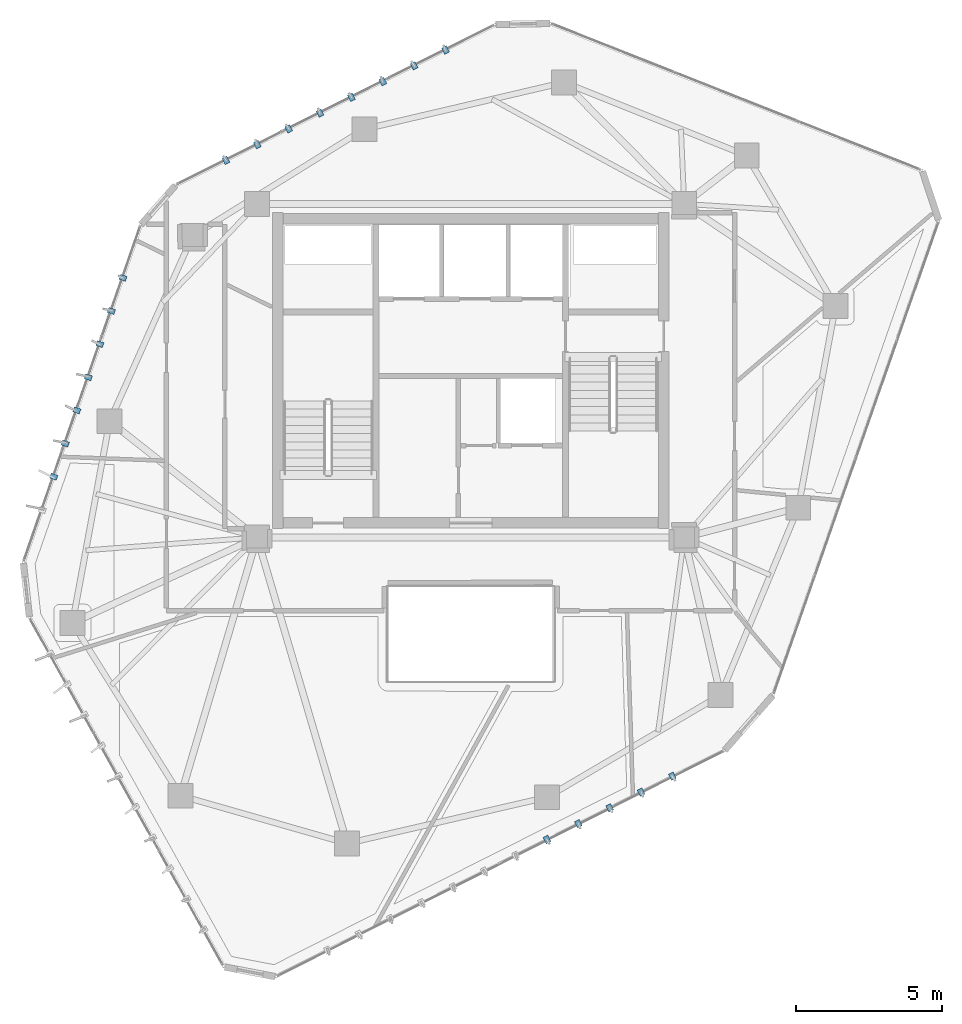
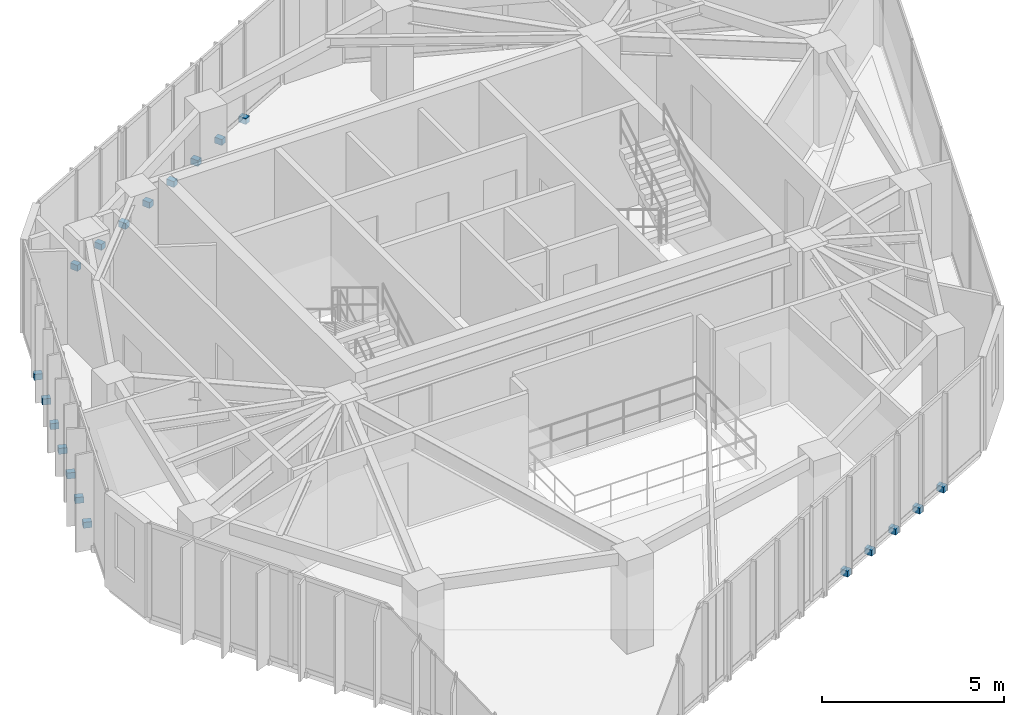
# One storey, part 19 of 21: 20 discrete accessories.
"""IFC4 building model written with IfcOpenShell, lengths in metres."""

import ifcopenshell
import ifcopenshell.guid

model = None  # the IFC model being written
_history = None  # IfcOwnerHistory: only IFC2X3 demands one
_inside = {}  # id of a spatial element -> (the spatial element, [elements in it])
_under = {}  # id of a project, library or spatial element -> (it, [spatial elements below it])
_declared = {}  # id of a project -> (the project, [libraries it declares])
_typed = {}  # id of a type object -> (the type object, [elements of that type])
_made_of = {}  # id of a material, layer set ... -> (it, [elements and type objects made of it])


def new_model(schema):
    """Start an empty IFC model of exactly this schema.

    Asked for "IFC4X3", IfcOpenShell would pick the latest addendum, in which some entities
    have other attributes; the version numbers below select the first issue.
    IFC2X3 requires an IfcOwnerHistory on every rooted entity: one is made here for all.
    """
    global model, _history
    if schema == "IFC4X3":
        model = ifcopenshell.file(schema_version=(4, 3, 0, 0))
    else:
        model = ifcopenshell.file(schema=schema)
    _inside.clear()
    _under.clear()
    _declared.clear()
    _typed.clear()
    _made_of.clear()
    _history = None
    if model.schema == "IFC2X3":
        org = make("IfcOrganization", Name="unknown")
        user = make(
            "IfcPersonAndOrganization",
            ThePerson=make("IfcPerson", FamilyName="unknown"),
            TheOrganization=org,
        )
        app = make(
            "IfcApplication",
            ApplicationDeveloper=org,
            Version="unknown",
            ApplicationFullName="unknown",
            ApplicationIdentifier="unknown",
        )
        _history = make(
            "IfcOwnerHistory",
            OwningUser=user,
            OwningApplication=app,
            ChangeAction="ADDED",
            CreationDate=0,
        )
    return model


def make(cls, **values):
    """One entity of the class cls with the attributes given. An attribute that is None is left unset."""
    return model.create_entity(
        cls, **{name: value for name, value in values.items() if value is not None}
    )


def rooted(cls, **values):
    """An entity with a GlobalId (a new one), such as an element, a storey or a relation."""
    return make(cls, GlobalId=ifcopenshell.guid.new(), OwnerHistory=_history, **values)


def si_unit(unit_type, name, prefix=None):
    """IfcSIUnit, for example si_unit("LENGTHUNIT", "METRE", prefix="MILLI")."""
    return make("IfcSIUnit", UnitType=unit_type, Prefix=prefix, Name=name)


def assignment(units):
    """IfcUnitAssignment: the units of a project."""
    return None if units is None else make("IfcUnitAssignment", Units=units)


def point(xyz):
    """IfcCartesianPoint."""
    return None if xyz is None else make("IfcCartesianPoint", Coordinates=xyz)


def direction(xyz):
    """IfcDirection."""
    return None if xyz is None else make("IfcDirection", DirectionRatios=xyz)


def frame(location, z_axis=None, x_axis=None):
    """IfcAxis2Placement3D, a coordinate frame: its origin and axes. An axis left out is left unset."""
    return make(
        "IfcAxis2Placement3D",
        Location=point(location),
        Axis=direction(z_axis),
        RefDirection=direction(x_axis),
    )


def frame_2d(location, x_axis=None):
    """IfcAxis2Placement2D, a coordinate frame in the plane: its origin and x axis."""
    return make(
        "IfcAxis2Placement2D", Location=point(location), RefDirection=direction(x_axis)
    )


def origin():
    """The frame at (0, 0, 0) with its axes left unset."""
    return frame((0.0, 0.0, 0.0))


def origin_2d():
    """The frame at (0, 0) in the plane with its x axis left unset."""
    return frame_2d((0.0, 0.0))


def place(relative_to, where):
    """IfcLocalPlacement: puts the frame where relative to a parent placement (None: the world)."""
    return make(
        "IfcLocalPlacement", PlacementRelTo=relative_to, RelativePlacement=where
    )


def context(
    kind, dimensions, precision=None, world=None, true_north=None, identifier=None
):
    """IfcGeometricRepresentationContext, for example the 3D "Model" context."""
    return make(
        "IfcGeometricRepresentationContext",
        ContextIdentifier=identifier,
        ContextType=kind,
        CoordinateSpaceDimension=dimensions,
        Precision=precision,
        WorldCoordinateSystem=world,
        TrueNorth=true_north,
    )


def subcontext(parent, identifier, kind, view, scale=None):
    """IfcGeometricRepresentationSubContext, for example "Body" below "Model"."""
    return make(
        "IfcGeometricRepresentationSubContext",
        ContextIdentifier=identifier,
        ContextType=kind,
        ParentContext=parent,
        TargetScale=scale,
        TargetView=view,
    )


def project(units=None, contexts=None):
    """IfcProject with its units and contexts."""
    return rooted(
        "IfcProject",
        Name="project",
        RepresentationContexts=contexts,
        UnitsInContext=assignment(units),
    )


def spatial(cls, under=None, at=None, **own):
    """A site, building, storey or space (cls), placed at a placement, below another one or the project."""
    s = rooted(cls, ObjectPlacement=at, **own)
    if under is not None:
        _under.setdefault(under.id(), (under, []))[1].append(s)
    return s


def profile(cls, at=None, kind="AREA", **sizes):
    """A parametric profile (cls). Its sizes go by their IFC names, for example OverallWidth=200.0."""
    return make(cls, ProfileType=kind, Position=at, **sizes)


def rectangle(**sizes):
    """IfcRectangleProfileDef."""
    return profile("IfcRectangleProfileDef", **sizes)


def extrude(swept, where, along, depth):
    """IfcExtrudedAreaSolid: the profile swept, set in the frame where, extruded along a direction by depth."""
    return make(
        "IfcExtrudedAreaSolid",
        SweptArea=swept,
        Position=where,
        ExtrudedDirection=direction(along),
        Depth=depth,
    )


def shape(context_of_items, identifier, shape_type, items):
    """IfcShapeRepresentation: the items that make up one representation, for example the "Body"."""
    return make(
        "IfcShapeRepresentation",
        ContextOfItems=context_of_items,
        RepresentationIdentifier=identifier,
        RepresentationType=shape_type,
        Items=items,
    )


def source(mapping_origin, context_of_items, identifier, shape_type, items):
    """IfcRepresentationMap: a shape defined once, which mapped items show again and again."""
    return make(
        "IfcRepresentationMap",
        MappingOrigin=mapping_origin,
        MappedRepresentation=shape(context_of_items, identifier, shape_type, items),
    )


def transform(
    local_origin,
    x_axis=None,
    y_axis=None,
    z_axis=None,
    scale=None,
    scale2=None,
    scale3=None,
    uniform=True,
):
    """IfcCartesianTransformationOperator3D, or its non-uniform kind. x_axis, y_axis, z_axis: its Axis1, 2, 3."""
    if uniform:
        return make(
            "IfcCartesianTransformationOperator3D",
            Axis1=direction(x_axis),
            Axis2=direction(y_axis),
            LocalOrigin=point(local_origin),
            Scale=scale,
            Axis3=direction(z_axis),
        )
    return make(
        "IfcCartesianTransformationOperator3DnonUniform",
        Axis1=direction(x_axis),
        Axis2=direction(y_axis),
        LocalOrigin=point(local_origin),
        Scale=scale,
        Axis3=direction(z_axis),
        Scale2=scale2,
        Scale3=scale3,
    )


def mapped(mapping_source, mapping_target):
    """IfcMappedItem: shows the shape of a source again, moved by a transform."""
    return make(
        "IfcMappedItem", MappingSource=mapping_source, MappingTarget=mapping_target
    )


def material(Name=None, Category=None):
    """IfcMaterial."""
    return make("IfcMaterial", Name=Name, Category=Category)


def made_of(thing, what):
    """Note that an element or type object is made of a material, layer set ...; save() writes the relation."""
    if what is not None:
        _made_of.setdefault(what.id(), (what, []))[1].append(thing)
    return thing


def type_object(cls, material=None, **own):
    """A type object (cls), such as IfcWallType, which elements share."""
    return made_of(rooted(cls, **own), material)


def type_shapes(of_type, sources):
    """Give a type object the sources (RepresentationMaps) that its elements show as mapped items."""
    of_type.RepresentationMaps = sources


def element(
    cls,
    number,
    at=None,
    inside=None,
    cuts=None,
    type_object=None,
    material=None,
    context=None,
    identifier="Body",
    shape_type=None,
    held_by="IfcProductDefinitionShape",
    body=None,
    shapes=None,
    **own,
):
    """One element of the class cls, such as IfcWall. Its Tag is "e" and its number.

    at: its placement. inside: the storey or other place that contains it. cuts: it is an
    opening in that element (IfcRelVoidsElement). A single representation is given by context,
    identifier, shape_type and body (its items); several are given by shapes. held_by: the class
    of the entity that holds the representations. save() writes the other relations.
    """
    e = rooted(cls, Tag="e%d" % number, ObjectPlacement=at, **own)
    if body is not None:
        shapes = [shape(context, identifier, shape_type, body)]
    if shapes is not None:
        e.Representation = make(held_by, Representations=shapes)
    if inside is not None:
        _inside.setdefault(inside.id(), (inside, []))[1].append(e)
    if cuts is not None:
        rooted(
            "IfcRelVoidsElement", RelatingBuildingElement=cuts, RelatedOpeningElement=e
        )
    if type_object is not None:
        _typed.setdefault(type_object.id(), (type_object, []))[1].append(e)
    return made_of(e, material)


def aggregate(whole, parts):
    """IfcRelAggregates: a whole, such as a stair, and the parts it consists of."""
    return rooted("IfcRelAggregates", RelatingObject=whole, RelatedObjects=parts)


def save(model, path):
    """Write the relations noted so far, then the file.

    IfcRelAggregates (storeys below a building ...), IfcRelContainedInSpatialStructure (elements
    in a storey), IfcRelDefinesByType, IfcRelAssociatesMaterial and IfcRelDeclares: one each for
    every whole, place, type object, material and project.
    """
    for whole, parts in _under.values():
        aggregate(whole, parts)
    for where, things in _inside.values():
        rooted(
            "IfcRelContainedInSpatialStructure",
            RelatedElements=things,
            RelatingStructure=where,
        )
    for kind, things in _typed.values():
        rooted("IfcRelDefinesByType", RelatedObjects=things, RelatingType=kind)
    for what, things in _made_of.values():
        rooted("IfcRelAssociatesMaterial", RelatedObjects=things, RelatingMaterial=what)
    for by, libraries in _declared.values():
        rooted("IfcRelDeclares", RelatingContext=by, RelatedDefinitions=libraries)
    model.write(path)


model = new_model("IFC4")

# Units and contexts
model_context = context("Model", 3, precision=1e-05, world=origin(), true_north=direction((0.0, 1.0)))
body_context = subcontext(model_context, "Body", "Model", "MODEL_VIEW")
ifc_project = project(units=[si_unit("LENGTHUNIT", "METRE"), si_unit("AREAUNIT", "SQUARE_METRE"), si_unit("VOLUMEUNIT", "CUBIC_METRE"), si_unit("PLANEANGLEUNIT", "RADIAN"), si_unit("MASSUNIT", "GRAM", prefix="KILO")], contexts=[model_context])

# Site, building, storey
site_placement = place(None, origin())
site = spatial("IfcSite", under=ifc_project, at=site_placement, CompositionType="ELEMENT")
building_placement = place(site_placement, origin())
building = spatial("IfcBuilding", under=site, at=building_placement, Name="Talar Marvaseh", CompositionType="ELEMENT")
storey_placement = place(building_placement, frame((0.0, 0.0, 264.60009765625)))
storey = spatial("IfcBuildingStorey", under=building, at=storey_placement, Name="L70", CompositionType="ELEMENT", Elevation=264.60009765625)

# Discrete accessories
ifc_material = material(Name="Stainless Steel Grade 316", Category="steel")
discrete_accessory_type = type_object("IfcDiscreteAccessoryType", Name="Stainless Slab-Edge Fin Mounting Bracket", PredefinedType="BRACKET", material=ifc_material)
shared_shape = source(origin(), body_context, "Body", "SweptSolid", [
    extrude(rectangle(XDim=0.239990234375, YDim=0.179931640625, at=origin_2d()), origin(), (0.0, 0.0, 1.0), 0.199951171875),
])
type_shapes(discrete_accessory_type, [shared_shape])
for number, where, z_axis, x_axis, name in (
    (1, (11.748291015625, 27.573974609375, -0.18017578125), (0.0, 0.0, 1.0), (-0.944491108816, 0.328536977169, 0.0), "L70 Vertical Fin Slab-Edge Bracket"),
    (2, (12.142333984375, 28.707275390625, -0.18017578125), (0.0, 0.0, 1.0), (-0.944491108816, 0.328536977169, 0.0), "L70 Vertical Fin Slab-Edge Bracket"),
    (3, (12.53662109375, 29.840576171875, -0.18017578125), (0.0, 0.0, 1.0), (-0.944491108816, 0.328536977169, 0.0), "L70 Vertical Fin Slab-Edge Bracket"),
    (4, (12.930908203125, 30.97412109375, -0.18017578125), (0.0, 0.0, 1.0), (-0.944491108816, 0.328536977169, 0.0), "L70 Vertical Fin Slab-Edge Bracket"),
    (5, (13.3251953125, 32.107421875, -0.18017578125), (0.0, 0.0, 1.0), (-0.944491108816, 0.328536977169, 0.0), "L70 Vertical Fin Slab-Edge Bracket"),
    (6, (13.719482421875, 33.24072265625, -0.18017578125), (0.0, 0.0, 1.0), (-0.944491108816, 0.328536977169, 0.0), "L70 Vertical Fin Slab-Edge Bracket"),
    (7, (14.114013671875, 34.3740234375, -0.18017578125), (0.0, 0.0, 1.0), (-0.944491108816, 0.328536977169, 0.0), "L70 Vertical Fin Slab-Edge Bracket"),
    (8, (17.63330078125, 38.38720703125, -0.18017578125), (0.0, 0.0, 1.0), (-0.449007125805, 0.893528175816, 0.0), "L70 Vertical Fin Slab-Edge Bracket"),
    (9, (18.70556640625, 38.926025390625, -0.18017578125), (0.0, 0.0, 1.0), (-0.449007125805, 0.893528175816, 0.0), "L70 Vertical Fin Slab-Edge Bracket"),
    (10, (19.777587890625, 39.46484375, -0.18017578125), (0.0, 0.0, 1.0), (-0.449007125805, 0.893528175816, 0.0), "L70 Vertical Fin Slab-Edge Bracket"),
    (11, (20.849853515625, 40.00390625, -0.18017578125), (0.0, 0.0, 1.0), (-0.449007125805, 0.893528175816, 0.0), "L70 Vertical Fin Slab-Edge Bracket"),
    (12, (21.922119140625, 40.54248046875, -0.18017578125), (0.0, 0.0, 1.0), (-0.449007125805, 0.893528175816, 0.0), "L70 Vertical Fin Slab-Edge Bracket"),
    (13, (22.994384765625, 41.08154296875, -0.18017578125), (0.0, 0.0, 1.0), (-0.449007125805, 0.893528175816, 0.0), "L70 Vertical Fin Slab-Edge Bracket"),
    (14, (24.066650390625, 41.620361328125, -0.18017578125), (0.0, 0.0, 1.0), (-0.449007125805, 0.893528175816, 0.0), "L70 Vertical Fin Slab-Edge Bracket"),
    (15, (25.138916015625, 42.1591796875, -0.18017578125), (0.0, 0.0, 1.0), (-0.449007125805, 0.893528175816, 0.0), "L70 Vertical Fin Slab-Edge Bracket"),
    (16, (32.895263671875, 17.336181640625, -0.18017578125), (0.0, 0.0, 1.0), (0.450254288408, -0.892900372813, 0.0), "L70 Vertical Fin Slab-Edge Bracket"),
    (17, (31.82373046875, 16.7958984375, -0.18017578125), (0.0, 0.0, 1.0), (0.450254288408, -0.892900372813, 0.0), "L70 Vertical Fin Slab-Edge Bracket"),
    (18, (30.752197265625, 16.255615234375, -0.18017578125), (0.0, 0.0, 1.0), (0.450254288408, -0.892900372813, 0.0), "L70 Vertical Fin Slab-Edge Bracket"),
    (19, (29.6806640625, 15.71533203125, -0.18017578125), (0.0, 0.0, 1.0), (0.450254288408, -0.892900372813, 0.0), "L70 Vertical Fin Slab-Edge Bracket"),
    (20, (28.609130859375, 15.17529296875, -0.18017578125), (0.0, 0.0, 1.0), (0.450254288408, -0.892900372813, 0.0), "L70 Vertical Fin Slab-Edge Bracket"),
):
    element("IfcDiscreteAccessory", number, at=place(storey_placement, frame(where, z_axis=z_axis, x_axis=x_axis)), inside=storey, type_object=discrete_accessory_type, Name=name, PredefinedType="BRACKET", context=body_context, shape_type="MappedRepresentation", body=[
        mapped(shared_shape, transform((0.0, 0.0, 0.0), x_axis=(1.0, 0.0, 0.0), y_axis=(0.0, 1.0, 0.0), z_axis=(0.0, 0.0, 1.0), scale=1.0)),
    ])

save(model, "model.ifc")
